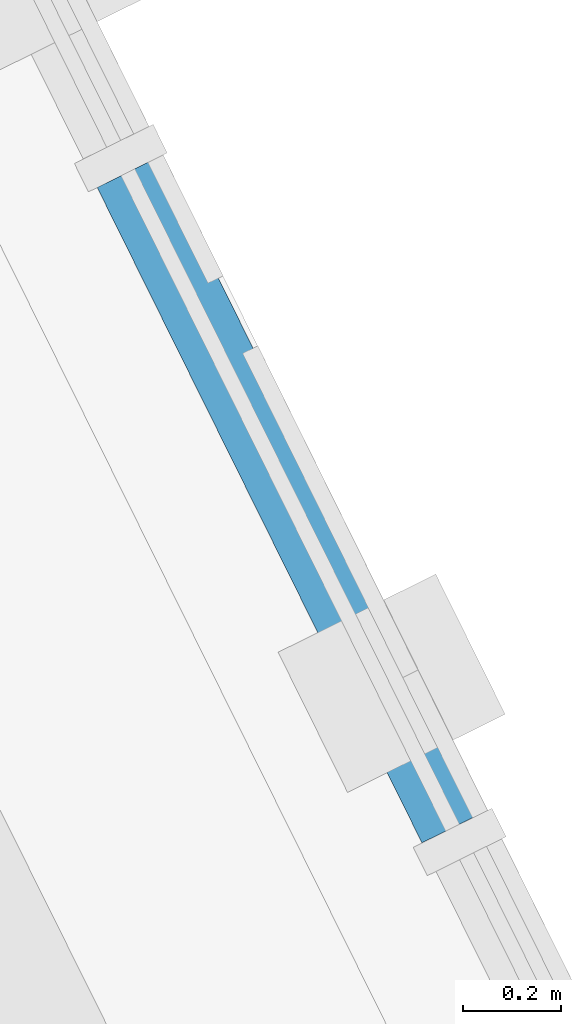
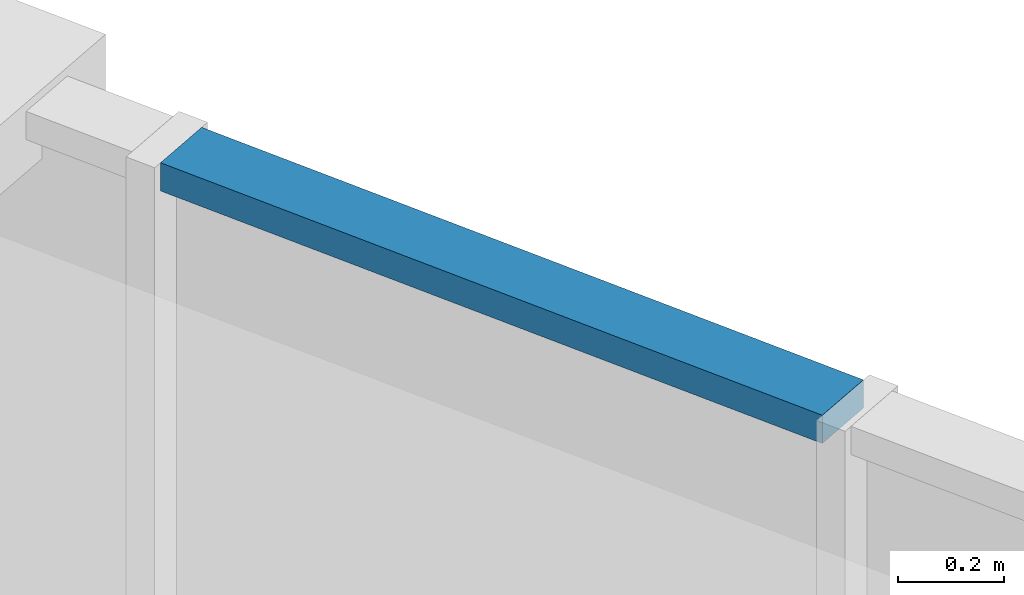
# One storey, part 31 of 108: 1 member, 1 element without a shape of its own.
"""IFC4 building model written with IfcOpenShell, lengths in metres."""

from ifc_helpers import new_model, si_unit, direction, frame, origin, origin_2d, place, context, subcontext, project, spatial, rectangle, extrude, material, material_profile, profile_set, type_object, element, aggregate, save


model = new_model("IFC4")

# Units and contexts
model_context = context("Model", 3, precision=1e-05, world=origin(), true_north=direction((0.0, 1.0)))
body_context = subcontext(model_context, "Body", "Model", "MODEL_VIEW")
ifc_project = project(units=[si_unit("LENGTHUNIT", "METRE"), si_unit("AREAUNIT", "SQUARE_METRE"), si_unit("VOLUMEUNIT", "CUBIC_METRE"), si_unit("PLANEANGLEUNIT", "RADIAN"), si_unit("MASSUNIT", "GRAM", prefix="KILO")], contexts=[model_context])

# Site, building, storey
site_placement = place(None, origin())
site = spatial("IfcSite", under=ifc_project, at=site_placement, CompositionType="ELEMENT")
building_placement = place(site_placement, origin())
building = spatial("IfcBuilding", under=site, at=building_placement, Name="Zevraka Park Crest Stadium", CompositionType="ELEMENT")
storey_placement = place(building_placement, frame((0.0, 0.0, 19.800048828125)))
storey = spatial("IfcBuildingStorey", under=building, at=storey_placement, Name="L04", CompositionType="ELEMENT", Elevation=19.800048828125)

# Curtain wall, member
ifc_material_1 = material(Name="Anodised architectural aluminium and laminated safety glass", Category="aluminium")
curtain_wall_type = type_object("IfcCurtainWallType", Name="CW17", PredefinedType="NOTDEFINED", material=ifc_material_1)
curtain_wall_placement = place(storey_placement, origin())
curtain_wall = element("IfcCurtainWall", 1, at=curtain_wall_placement, inside=storey, type_object=curtain_wall_type, Name="Unitised Ring Curtain Wall CW17 L04-01", PredefinedType="NOTDEFINED")
ifc_material_2 = material(Name="Anodised architectural aluminium", Category="aluminium")
ifc_material_profile = material_profile(ifc_material_2, rectangle(XDim=0.139892578125, YDim=0.06494140625, at=origin_2d()), Name="ALU TRANSOM 140x65")
ifc_profile_set = profile_set([ifc_material_profile], Name="Anodised architectural aluminium")
member_type = type_object("IfcMemberType", Name="CT02", PredefinedType="USERDEFINED", material=ifc_profile_set)
member_placement = place(storey_placement, frame((192.603759765625, 127.318359375, 4.507568359375), z_axis=(-0.444014747446, 0.896019477495, 0.0), x_axis=(-0.896019477495, -0.444014747446, 0.0)))
member = element("IfcMember", 2, at=member_placement, type_object=member_type, Name="CW17 transom 12.3", ObjectType="TRANSOM", PredefinedType="USERDEFINED", context=body_context, shape_type="SweptSolid", body=[
    extrude(rectangle(XDim=0.139892578125, YDim=0.06494140625, at=origin_2d()), origin(), (0.0, 0.0, 1.0), 1.497314453125),
])
aggregate(curtain_wall, [member])

save(model, "model.ifc")
